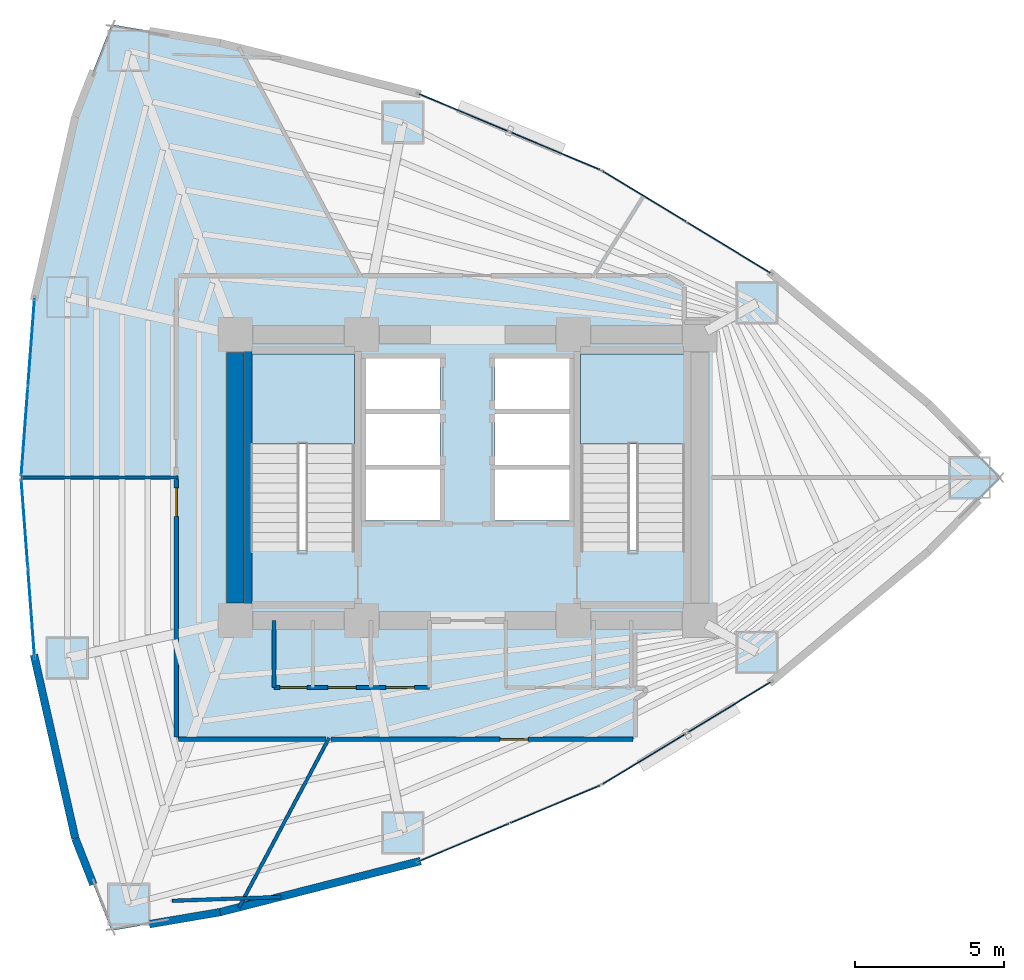
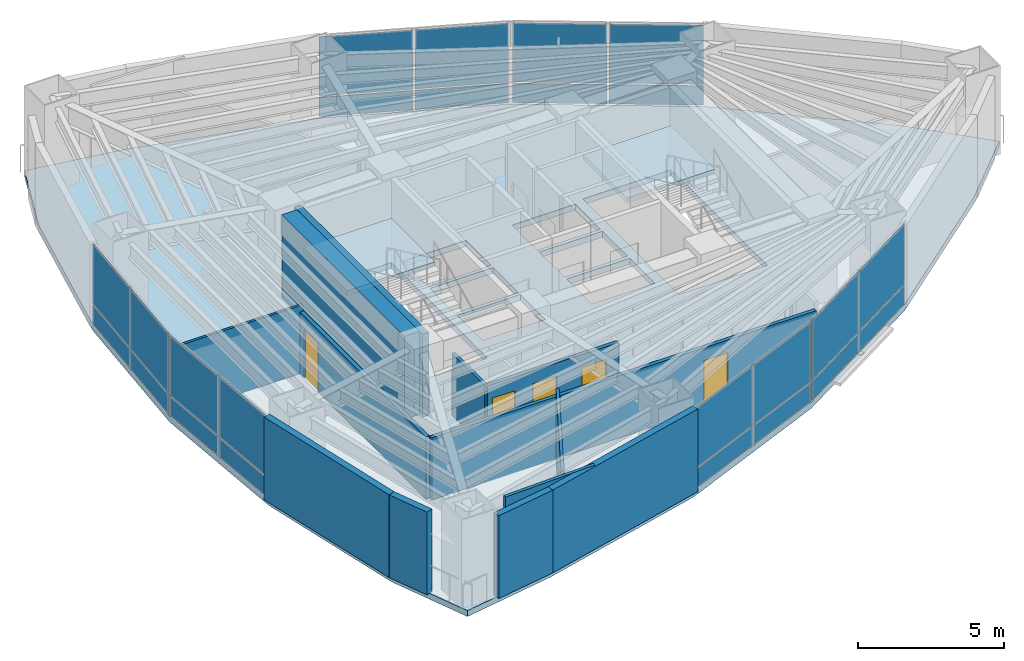
# One storey, part 13 of 18: 24 plates, 14 walls, 5 doors, 3 slabs, 5 openings, 8 elements without a shape of their own.
"""IFC4 building model written with IfcOpenShell, lengths in metres."""

from ifc_helpers import new_model, si_unit, direction, frame, frame_2d, origin, origin_2d, place, context, subcontext, project, spatial, polyline, rectangle, outline, extrude, material, layer, layer_set, type_object, element, fill, aggregate, save


model = new_model("IFC4")

# Units and contexts
model_context = context("Model", 3, precision=1e-05, world=origin(), true_north=direction((0.0, 1.0)))
body_context = subcontext(model_context, "Body", "Model", "MODEL_VIEW")
ifc_project = project(units=[si_unit("LENGTHUNIT", "METRE"), si_unit("AREAUNIT", "SQUARE_METRE"), si_unit("VOLUMEUNIT", "CUBIC_METRE"), si_unit("PLANEANGLEUNIT", "RADIAN"), si_unit("MASSUNIT", "GRAM", prefix="KILO")], contexts=[model_context])

# Site, building, storey
site_placement = place(None, origin())
site = spatial("IfcSite", under=ifc_project, at=site_placement, CompositionType="ELEMENT")
building_placement = place(site_placement, origin())
building = spatial("IfcBuilding", under=site, at=building_placement, Name="Menara Vayukalpa", CompositionType="ELEMENT")
storey_placement = place(building_placement, frame((0.0, 0.0, 31.320068359375)))
storey = spatial("IfcBuildingStorey", under=building, at=storey_placement, Name="L06", CompositionType="ELEMENT", Elevation=31.320068359375)

# Curtain wall, plates
ifc_material_1 = material(Name="Anodised Terracotta Aluminium Alloy 6063-T6", Category="masonry")
ifc_layer_1 = layer(ifc_material_1, 0.1650390625)
ifc_layer_set_1 = layer_set([ifc_layer_1], Name="Anodised Terracotta Aluminium Alloy 6063-T6")
curtain_wall_type = type_object("IfcCurtainWallType", Name="CW-CW2", PredefinedType="USERDEFINED", material=ifc_layer_set_1)
curtain_wall_1_placement = place(storey_placement, origin())
curtain_wall_1 = element("IfcCurtainWall", 1, at=curtain_wall_1_placement, inside=storey, type_object=curtain_wall_type, Name="L06 Low Rise Terracotta Ribbon Curtain Wall CW2 04", ObjectType="UNITISED", PredefinedType="USERDEFINED")
ifc_material_2 = material(Name="Low-E Double Glazing", Category="glass")
ifc_layer_2 = layer(ifc_material_2, 0.031982421875)
ifc_layer_set_2 = layer_set([ifc_layer_2], Name="Low-E Double Glazing")
plate_type = type_object("IfcPlateType", Name="CWP-CW2", PredefinedType="CURTAIN_PANEL", material=ifc_layer_set_2)
plate_1_placement = place(storey_placement, frame((34.371826171875, 29.721435546875, 0.06494140625), z_axis=(0.0, 0.0, 1.0), x_axis=(-0.854663727945, 0.519181964377, 0.0)))
plate_1 = element("IfcPlate", 2, at=plate_1_placement, type_object=plate_type, Name="CW2 panel 1.1", PredefinedType="CURTAIN_PANEL", context=body_context, shape_type="SweptSolid", body=[
    extrude(rectangle(XDim=3.24267578125, YDim=0.031982421875, at=origin_2d()), origin(), (0.0, 0.0, 1.0), 0.802490234375),
])
plate_2_placement = place(storey_placement, frame((34.371826171875, 29.721435546875, 0.9326171875), z_axis=(0.0, 0.0, 1.0), x_axis=(-0.854663727945, 0.519181964377, 0.0)))
plate_2 = element("IfcPlate", 3, at=plate_2_placement, type_object=plate_type, Name="CW2 panel 1.2", PredefinedType="CURTAIN_PANEL", context=body_context, shape_type="SweptSolid", body=[
    extrude(rectangle(XDim=3.24267578125, YDim=0.031982421875, at=origin_2d()), origin(), (0.0, 0.0, 1.0), 2.472412109375),
])
plate_3_placement = place(storey_placement, frame((31.54052734375, 31.44140625, 0.06494140625), z_axis=(0.0, 0.0, 1.0), x_axis=(-0.854663727945, 0.519181964377, 0.0)))
plate_3 = element("IfcPlate", 4, at=plate_3_placement, type_object=plate_type, Name="CW2 panel 2.1", PredefinedType="CURTAIN_PANEL", context=body_context, shape_type="SweptSolid", body=[
    extrude(rectangle(XDim=3.24267578125, YDim=0.031982421875, at=origin_2d()), origin(), (0.0, 0.0, 1.0), 0.802490234375),
])
plate_4_placement = place(storey_placement, frame((31.54052734375, 31.44140625, 0.9326171875), z_axis=(0.0, 0.0, 1.0), x_axis=(-0.854663727945, 0.519181964377, 0.0)))
plate_4 = element("IfcPlate", 5, at=plate_4_placement, type_object=plate_type, Name="CW2 panel 2.2", PredefinedType="CURTAIN_PANEL", context=body_context, shape_type="SweptSolid", body=[
    extrude(rectangle(XDim=3.24267578125, YDim=0.031982421875, at=origin_2d()), origin(), (0.0, 0.0, 1.0), 2.472412109375),
])
aggregate(curtain_wall_1, [plate_1, plate_2, plate_3, plate_4])

curtain_wall_2_placement = place(storey_placement, origin())
curtain_wall_2 = element("IfcCurtainWall", 6, at=curtain_wall_2_placement, inside=storey, type_object=curtain_wall_type, Name="L06 Low Rise Terracotta Ribbon Curtain Wall CW2 05", ObjectType="UNITISED", PredefinedType="USERDEFINED")
plate_5_placement = place(storey_placement, frame((28.534912109375, 32.97216796875, 0.06494140625), z_axis=(0.0, 0.0, 1.0), x_axis=(-0.922542658101, 0.385895120445, 0.0)))
plate_5 = element("IfcPlate", 7, at=plate_5_placement, type_object=plate_type, Name="CW2 panel 1.1", PredefinedType="CURTAIN_PANEL", context=body_context, shape_type="SweptSolid", body=[
    extrude(rectangle(XDim=3.242431640625, YDim=0.031982421875, at=origin_2d()), origin(), (0.0, 0.0, 1.0), 0.802490234375),
])
plate_6_placement = place(storey_placement, frame((28.534912109375, 32.97216796875, 0.9326171875), z_axis=(0.0, 0.0, 1.0), x_axis=(-0.922542658101, 0.385895120445, 0.0)))
plate_6 = element("IfcPlate", 8, at=plate_6_placement, type_object=plate_type, Name="CW2 panel 1.2", PredefinedType="CURTAIN_PANEL", context=body_context, shape_type="SweptSolid", body=[
    extrude(rectangle(XDim=3.242431640625, YDim=0.031982421875, at=origin_2d()), origin(), (0.0, 0.0, 1.0), 2.472412109375),
])
plate_7_placement = place(storey_placement, frame((25.478759765625, 34.250244140625, 0.06494140625), z_axis=(0.0, 0.0, 1.0), x_axis=(-0.922542658101, 0.385895120445, 0.0)))
plate_7 = element("IfcPlate", 9, at=plate_7_placement, type_object=plate_type, Name="CW2 panel 2.1", PredefinedType="CURTAIN_PANEL", context=body_context, shape_type="SweptSolid", body=[
    extrude(rectangle(XDim=3.242431640625, YDim=0.031982421875, at=origin_2d()), origin(), (0.0, 0.0, 1.0), 0.802490234375),
])
plate_8_placement = place(storey_placement, frame((25.478759765625, 34.250244140625, 0.9326171875), z_axis=(0.0, 0.0, 1.0), x_axis=(-0.922542658101, 0.385895120445, 0.0)))
plate_8 = element("IfcPlate", 10, at=plate_8_placement, type_object=plate_type, Name="CW2 panel 2.2", PredefinedType="CURTAIN_PANEL", context=body_context, shape_type="SweptSolid", body=[
    extrude(rectangle(XDim=3.242431640625, YDim=0.031982421875, at=origin_2d()), origin(), (0.0, 0.0, 1.0), 2.472412109375),
])
aggregate(curtain_wall_2, [plate_5, plate_6, plate_7, plate_8])

curtain_wall_3_placement = place(storey_placement, origin())
curtain_wall_3 = element("IfcCurtainWall", 11, at=curtain_wall_3_placement, inside=storey, type_object=curtain_wall_type, Name="L06 Low Rise Terracotta Ribbon Curtain Wall CW2 10", ObjectType="UNITISED", PredefinedType="USERDEFINED")
plate_9_placement = place(storey_placement, frame((10.94921875, 26.52734375, 0.06494140625), z_axis=(0.0, 0.0, 1.0), x_axis=(-0.074794857576, -0.997198941676, 0.0)))
plate_9 = element("IfcPlate", 12, at=plate_9_placement, type_object=plate_type, Name="CW2 panel 1.1", PredefinedType="CURTAIN_PANEL", context=body_context, shape_type="SweptSolid", body=[
    extrude(rectangle(XDim=2.933349609375, YDim=0.031982421875, at=origin_2d()), origin(), (0.0, 0.0, 1.0), 0.802490234375),
])
plate_10_placement = place(storey_placement, frame((10.94921875, 26.52734375, 0.9326171875), z_axis=(0.0, 0.0, 1.0), x_axis=(-0.074794857576, -0.997198941676, 0.0)))
plate_10 = element("IfcPlate", 13, at=plate_10_placement, type_object=plate_type, Name="CW2 panel 1.2", PredefinedType="CURTAIN_PANEL", context=body_context, shape_type="SweptSolid", body=[
    extrude(rectangle(XDim=2.933349609375, YDim=0.031982421875, at=origin_2d()), origin(), (0.0, 0.0, 1.0), 2.472412109375),
])
plate_11_placement = place(storey_placement, frame((10.724609375, 23.532470703125, 0.06494140625), z_axis=(0.0, 0.0, 1.0), x_axis=(-0.074794857576, -0.997198941676, 0.0)))
plate_11 = element("IfcPlate", 14, at=plate_11_placement, type_object=plate_type, Name="CW2 panel 2.1", PredefinedType="CURTAIN_PANEL", context=body_context, shape_type="SweptSolid", body=[
    extrude(rectangle(XDim=2.933349609375, YDim=0.031982421875, at=origin_2d()), origin(), (0.0, 0.0, 1.0), 0.802490234375),
])
plate_12_placement = place(storey_placement, frame((10.724609375, 23.532470703125, 0.9326171875), z_axis=(0.0, 0.0, 1.0), x_axis=(-0.074794857576, -0.997198941676, 0.0)))
plate_12 = element("IfcPlate", 15, at=plate_12_placement, type_object=plate_type, Name="CW2 panel 2.2", PredefinedType="CURTAIN_PANEL", context=body_context, shape_type="SweptSolid", body=[
    extrude(rectangle(XDim=2.933349609375, YDim=0.031982421875, at=origin_2d()), origin(), (0.0, 0.0, 1.0), 2.472412109375),
])
aggregate(curtain_wall_3, [plate_9, plate_10, plate_11, plate_12])

curtain_wall_4_placement = place(storey_placement, origin())
curtain_wall_4 = element("IfcCurtainWall", 16, at=curtain_wall_4_placement, inside=storey, type_object=curtain_wall_type, Name="L06 Low Rise Terracotta Ribbon Curtain Wall CW2 11", ObjectType="UNITISED", PredefinedType="USERDEFINED")
plate_13_placement = place(storey_placement, frame((10.724609375, 20.467529296875, 0.06494140625), z_axis=(0.0, 0.0, 1.0), x_axis=(0.074794857576, -0.997198941676, 0.0)))
plate_13 = element("IfcPlate", 17, at=plate_13_placement, type_object=plate_type, Name="CW2 panel 1.1", PredefinedType="CURTAIN_PANEL", context=body_context, shape_type="SweptSolid", body=[
    extrude(rectangle(XDim=2.933349609375, YDim=0.031982421875, at=origin_2d()), origin(), (0.0, 0.0, 1.0), 0.802490234375),
])
plate_14_placement = place(storey_placement, frame((10.724609375, 20.467529296875, 0.9326171875), z_axis=(0.0, 0.0, 1.0), x_axis=(0.074794857576, -0.997198941676, 0.0)))
plate_14 = element("IfcPlate", 18, at=plate_14_placement, type_object=plate_type, Name="CW2 panel 1.2", PredefinedType="CURTAIN_PANEL", context=body_context, shape_type="SweptSolid", body=[
    extrude(rectangle(XDim=2.933349609375, YDim=0.031982421875, at=origin_2d()), origin(), (0.0, 0.0, 1.0), 2.472412109375),
])
plate_15_placement = place(storey_placement, frame((10.94921875, 17.47265625, 0.06494140625), z_axis=(0.0, 0.0, 1.0), x_axis=(0.074794857576, -0.997198941676, 0.0)))
plate_15 = element("IfcPlate", 19, at=plate_15_placement, type_object=plate_type, Name="CW2 panel 2.1", PredefinedType="CURTAIN_PANEL", context=body_context, shape_type="SweptSolid", body=[
    extrude(rectangle(XDim=2.933349609375, YDim=0.031982421875, at=origin_2d()), origin(), (0.0, 0.0, 1.0), 0.802490234375),
])
plate_16_placement = place(storey_placement, frame((10.94921875, 17.47265625, 0.9326171875), z_axis=(0.0, 0.0, 1.0), x_axis=(0.074794857576, -0.997198941676, 0.0)))
plate_16 = element("IfcPlate", 20, at=plate_16_placement, type_object=plate_type, Name="CW2 panel 2.2", PredefinedType="CURTAIN_PANEL", context=body_context, shape_type="SweptSolid", body=[
    extrude(rectangle(XDim=2.933349609375, YDim=0.031982421875, at=origin_2d()), origin(), (0.0, 0.0, 1.0), 2.472412109375),
])
aggregate(curtain_wall_4, [plate_13, plate_14, plate_15, plate_16])

curtain_wall_5_placement = place(storey_placement, origin())
curtain_wall_5 = element("IfcCurtainWall", 21, at=curtain_wall_5_placement, inside=storey, type_object=curtain_wall_type, Name="L06 Low Rise Terracotta Ribbon Curtain Wall CW2 16", ObjectType="UNITISED", PredefinedType="USERDEFINED")
plate_17_placement = place(storey_placement, frame((25.478759765625, 9.749755859375, 0.06494140625), z_axis=(0.0, 0.0, 1.0), x_axis=(0.922542658101, 0.385895120445, 0.0)))
plate_17 = element("IfcPlate", 22, at=plate_17_placement, type_object=plate_type, Name="CW2 panel 1.1", PredefinedType="CURTAIN_PANEL", context=body_context, shape_type="SweptSolid", body=[
    extrude(rectangle(XDim=3.242431640625, YDim=0.031982421875, at=origin_2d()), origin(), (0.0, 0.0, 1.0), 0.802490234375),
])
plate_18_placement = place(storey_placement, frame((25.478759765625, 9.749755859375, 0.9326171875), z_axis=(0.0, 0.0, 1.0), x_axis=(0.922542658101, 0.385895120445, 0.0)))
plate_18 = element("IfcPlate", 23, at=plate_18_placement, type_object=plate_type, Name="CW2 panel 1.2", PredefinedType="CURTAIN_PANEL", context=body_context, shape_type="SweptSolid", body=[
    extrude(rectangle(XDim=3.242431640625, YDim=0.031982421875, at=origin_2d()), origin(), (0.0, 0.0, 1.0), 2.472412109375),
])
plate_19_placement = place(storey_placement, frame((28.534912109375, 11.02783203125, 0.06494140625), z_axis=(0.0, 0.0, 1.0), x_axis=(0.922542658101, 0.385895120445, 0.0)))
plate_19 = element("IfcPlate", 24, at=plate_19_placement, type_object=plate_type, Name="CW2 panel 2.1", PredefinedType="CURTAIN_PANEL", context=body_context, shape_type="SweptSolid", body=[
    extrude(rectangle(XDim=3.242431640625, YDim=0.031982421875, at=origin_2d()), origin(), (0.0, 0.0, 1.0), 0.802490234375),
])
plate_20_placement = place(storey_placement, frame((28.534912109375, 11.02783203125, 0.9326171875), z_axis=(0.0, 0.0, 1.0), x_axis=(0.922542658101, 0.385895120445, 0.0)))
plate_20 = element("IfcPlate", 25, at=plate_20_placement, type_object=plate_type, Name="CW2 panel 2.2", PredefinedType="CURTAIN_PANEL", context=body_context, shape_type="SweptSolid", body=[
    extrude(rectangle(XDim=3.242431640625, YDim=0.031982421875, at=origin_2d()), origin(), (0.0, 0.0, 1.0), 2.472412109375),
])
aggregate(curtain_wall_5, [plate_17, plate_18, plate_19, plate_20])

curtain_wall_6_placement = place(storey_placement, origin())
curtain_wall_6 = element("IfcCurtainWall", 26, at=curtain_wall_6_placement, inside=storey, type_object=curtain_wall_type, Name="L06 Low Rise Terracotta Ribbon Curtain Wall CW2 17", ObjectType="UNITISED", PredefinedType="USERDEFINED")
plate_21_placement = place(storey_placement, frame((31.54052734375, 12.55859375, 0.06494140625), z_axis=(0.0, 0.0, 1.0), x_axis=(0.854663727945, 0.519181964377, 0.0)))
plate_21 = element("IfcPlate", 27, at=plate_21_placement, type_object=plate_type, Name="CW2 panel 1.1", PredefinedType="CURTAIN_PANEL", context=body_context, shape_type="SweptSolid", body=[
    extrude(rectangle(XDim=3.24267578125, YDim=0.031982421875, at=origin_2d()), origin(), (0.0, 0.0, 1.0), 0.802490234375),
])
plate_22_placement = place(storey_placement, frame((31.54052734375, 12.55859375, 0.9326171875), z_axis=(0.0, 0.0, 1.0), x_axis=(0.854663727945, 0.519181964377, 0.0)))
plate_22 = element("IfcPlate", 28, at=plate_22_placement, type_object=plate_type, Name="CW2 panel 1.2", PredefinedType="CURTAIN_PANEL", context=body_context, shape_type="SweptSolid", body=[
    extrude(rectangle(XDim=3.24267578125, YDim=0.031982421875, at=origin_2d()), origin(), (0.0, 0.0, 1.0), 2.472412109375),
])
plate_23_placement = place(storey_placement, frame((34.371826171875, 14.278564453125, 0.06494140625), z_axis=(0.0, 0.0, 1.0), x_axis=(0.854663727945, 0.519181964377, 0.0)))
plate_23 = element("IfcPlate", 29, at=plate_23_placement, type_object=plate_type, Name="CW2 panel 2.1", PredefinedType="CURTAIN_PANEL", context=body_context, shape_type="SweptSolid", body=[
    extrude(rectangle(XDim=3.24267578125, YDim=0.031982421875, at=origin_2d()), origin(), (0.0, 0.0, 1.0), 0.802490234375),
])
plate_24_placement = place(storey_placement, frame((34.371826171875, 14.278564453125, 0.9326171875), z_axis=(0.0, 0.0, 1.0), x_axis=(0.854663727945, 0.519181964377, 0.0)))
plate_24 = element("IfcPlate", 30, at=plate_24_placement, type_object=plate_type, Name="CW2 panel 2.2", PredefinedType="CURTAIN_PANEL", context=body_context, shape_type="SweptSolid", body=[
    extrude(rectangle(XDim=3.24267578125, YDim=0.031982421875, at=origin_2d()), origin(), (0.0, 0.0, 1.0), 2.472412109375),
])
aggregate(curtain_wall_6, [plate_21, plate_22, plate_23, plate_24])

# Slab
ifc_material_3 = material(Name="Concrete C40/50", Category="concrete")
ifc_layer_3 = layer(ifc_material_3, 0.25)
ifc_layer_set_3 = layer_set([ifc_layer_3], Name="Concrete C40/50")
slab_type_1 = type_object("IfcSlabType", Name="SLB-FL250", PredefinedType="FLOOR", material=ifc_layer_set_3)
slab_1_placement = place(storey_placement, frame((0.0, 0.0, -0.25)))
element("IfcSlab", 31, at=slab_1_placement, inside=storey, type_object=slab_type_1, Name="L06 Structural Floor Slab", PredefinedType="FLOOR", context=body_context, shape_type="SweptSolid", body=[
    extrude(outline(polyline([(41.084716796875, 19.52490234375), (43.514892578125, 22.0), (41.084716796875, 24.47509765625), (35.817138671875, 28.843505859375), (30.09521484375, 32.3193359375), (23.918701171875, 34.903076171875), (17.28759765625, 36.59423828125), (13.642578125, 37.212890625), (12.427490234375, 34.119140625), (11.064208984375, 28.0595703125), (10.609619140625, 22.0), (11.064208984375, 15.9404296875), (12.427490234375, 9.880859375), (13.642578125, 6.787109375), (17.28759765625, 7.40576171875), (23.918701171875, 9.096923828125), (30.09521484375, 11.6806640625), (35.817138671875, 15.156494140625), (41.084716796875, 19.52490234375)]), holes=[polyline([(21.800048828125, 19.550048828125), (21.800048828125, 26.14990234375), (18.300048828125, 26.14990234375), (18.300048828125, 19.550048828125), (21.800048828125, 19.550048828125)]), polyline([(32.89990234375, 19.550048828125), (32.89990234375, 26.14990234375), (29.39990234375, 26.14990234375), (29.39990234375, 19.550048828125), (32.89990234375, 19.550048828125)]), polyline([(22.179931640625, 20.550048828125), (24.679931640625, 20.550048828125), (24.679931640625, 22.27001953125), (22.179931640625, 22.27001953125), (22.179931640625, 20.550048828125)]), polyline([(26.52001953125, 20.550048828125), (29.02001953125, 20.550048828125), (29.02001953125, 22.27001953125), (26.52001953125, 22.27001953125), (26.52001953125, 20.550048828125)]), polyline([(22.179931640625, 22.419921875), (24.679931640625, 22.419921875), (24.679931640625, 24.139892578125), (22.179931640625, 24.139892578125), (22.179931640625, 22.419921875)]), polyline([(22.179931640625, 24.2900390625), (24.679931640625, 24.2900390625), (24.679931640625, 26.010009765625), (22.179931640625, 26.010009765625), (22.179931640625, 24.2900390625)]), polyline([(26.52001953125, 24.2900390625), (29.02001953125, 24.2900390625), (29.02001953125, 26.010009765625), (26.52001953125, 26.010009765625), (26.52001953125, 24.2900390625)]), polyline([(26.52001953125, 22.419921875), (29.02001953125, 22.419921875), (29.02001953125, 24.139892578125), (26.52001953125, 24.139892578125), (26.52001953125, 22.419921875)])]), origin(), (0.0, 0.0, 1.0), 0.25),
])

# Stair, slab
ifc_material_4 = material(Name="Precast Concrete C40/50", Category="concrete")
stair_type = type_object("IfcStairType", Name="STR-T04", PredefinedType="DOUBLE_RETURN_STAIR", material=ifc_material_4)
stair_1_placement = place(storey_placement, origin())
stair_1 = element("IfcStair", 32, at=stair_1_placement, inside=storey, type_object=stair_type, Name="L06 Core Exit Stair ST-1", PredefinedType="DOUBLE_RETURN_STAIR")
ifc_material_5 = material(Name="Precast Concrete C40/50", Category="concrete")
ifc_layer_4 = layer(ifc_material_5, 0.199951171875)
ifc_layer_set_4 = layer_set([ifc_layer_4], Name="Precast Concrete C40/50")
slab_type_2 = type_object("IfcSlabType", Name="SLB-LND200", PredefinedType="LANDING", material=ifc_layer_set_4)
slab_2_placement = place(storey_placement, frame((0.0, 0.0, 1.659912109375)))
slab_2 = element("IfcSlab", 33, at=slab_2_placement, type_object=slab_type_2, Name="ST-1 landing 1", PredefinedType="LANDING", context=body_context, shape_type="SweptSolid", body=[
    extrude(outline(polyline([(21.800048828125, 23.1298828125), (21.800048828125, 26.14990234375), (18.300048828125, 26.14990234375), (18.300048828125, 23.1298828125), (21.800048828125, 23.1298828125)])), origin(), (0.0, 0.0, 1.0), 0.199951171875),
])
aggregate(stair_1, [slab_2])

stair_2_placement = place(storey_placement, origin())
stair_2 = element("IfcStair", 34, at=stair_2_placement, inside=storey, type_object=stair_type, Name="L06 Core Exit Stair ST-2", PredefinedType="DOUBLE_RETURN_STAIR")
slab_3_placement = place(storey_placement, frame((0.0, 0.0, 1.659912109375)))
slab_3 = element("IfcSlab", 35, at=slab_3_placement, type_object=slab_type_2, Name="ST-2 landing 1", PredefinedType="LANDING", context=body_context, shape_type="SweptSolid", body=[
    extrude(outline(polyline([(32.89990234375, 23.1298828125), (32.89990234375, 26.14990234375), (29.39990234375, 26.14990234375), (29.39990234375, 23.1298828125), (32.89990234375, 23.1298828125)])), origin(), (0.0, 0.0, 1.0), 0.199951171875),
])
aggregate(stair_2, [slab_3])

# Walls
ifc_material_6 = material(Name="Concrete C70/85", Category="concrete")
ifc_layer_5 = layer(ifc_material_6, 0.60009765625)
ifc_layer_set_5 = layer_set([ifc_layer_5], Name="Concrete C70/85")
wall_type_1 = type_object("IfcWallType", Name="WAL-CW600", PredefinedType="SHEAR", material=ifc_layer_set_5)
wall_1_placement = place(storey_placement, frame((17.800048828125, 17.794921875, 0.0), z_axis=(0.0, 0.0, 1.0), x_axis=(0.0, 1.0, 0.0)))
element("IfcWall", 36, at=wall_1_placement, inside=storey, type_object=wall_type_1, Name="L06 Buttressed Core Shear Wall CWW1", PredefinedType="SHEAR", context=body_context, shape_type="SweptSolid", body=[
    extrude(rectangle(XDim=8.41015625, YDim=0.60009765625, at=frame_2d((4.205078125, 0.0))), origin(), (0.0, 0.0, 1.0), 3.469970703125),
])
ifc_material_7 = material(Name="Insulated Precast Concrete C40/50", Category="concrete")
ifc_layer_6 = layer(ifc_material_7, 0.260009765625)
ifc_layer_set_6 = layer_set([ifc_layer_6], Name="Insulated Precast Concrete C40/50")
wall_type_2 = type_object("IfcWallType", Name="WAL-EXT260", PredefinedType="PARTITIONING", material=ifc_layer_set_6)
wall_2_placement = place(storey_placement, frame((12.427490234375, 9.880859375, 0.0), z_axis=(0.0, 0.0, 1.0), x_axis=(-0.219502085231, 0.975612030768, 0.0)))
element("IfcWall", 37, at=wall_2_placement, inside=storey, type_object=wall_type_2, Name="L06 Perimeter Terracotta Pier Wall 12", PredefinedType="PARTITIONING", context=body_context, shape_type="SweptSolid", body=[
    extrude(rectangle(XDim=6.32080078125, YDim=0.260009765625, at=frame_2d((3.160400390625, 0.0))), origin(), (0.0, 0.0, 1.0), 3.469970703125),
])
wall_3_placement = place(storey_placement, frame((13.033203125, 8.339111328125, 0.0), z_axis=(0.0, 0.0, 1.0), x_axis=(-0.365666052462, 0.930746119023, 0.0)))
element("IfcWall", 38, at=wall_3_placement, inside=storey, type_object=wall_type_2, Name="L06 Perimeter Terracotta Pier Wall 13", PredefinedType="PARTITIONING", context=body_context, shape_type="SweptSolid", body=[
    extrude(rectangle(XDim=1.656494140625, YDim=0.260009765625, at=frame_2d((0.828125, 0.0))), origin(), (0.0, 0.0, 1.0), 3.469970703125),
])
wall_4_placement = place(storey_placement, frame((17.29345703125, 7.40673828125, 0.0), z_axis=(0.0, 0.0, 1.0), x_axis=(-0.985905469923, -0.167303330437, 0.0)))
element("IfcWall", 39, at=wall_4_placement, inside=storey, type_object=wall_type_2, Name="L06 Perimeter Terracotta Pier Wall 14", PredefinedType="PARTITIONING", context=body_context, shape_type="SweptSolid", body=[
    extrude(rectangle(XDim=2.412109375, YDim=0.260009765625, at=frame_2d((1.2060546875, 0.0))), origin(), (0.0, 0.0, 1.0), 3.469970703125),
])
wall_5_placement = place(storey_placement, frame((24.025146484375, 9.124267578125, 0.0), z_axis=(0.0, 0.0, 1.0), x_axis=(-0.968977974408, -0.247147092057, 0.0)))
element("IfcWall", 40, at=wall_5_placement, inside=storey, type_object=wall_type_2, Name="L06 Perimeter Terracotta Pier Wall 15", PredefinedType="PARTITIONING", context=body_context, shape_type="SweptSolid", body=[
    extrude(rectangle(XDim=6.959228515625, YDim=0.260009765625, at=frame_2d((3.4794921875, 0.0))), origin(), (0.0, 0.0, 1.0), 3.469970703125),
])
ifc_material_8 = material(Name="Glazed Demountable Office Partition", Category="glass")
ifc_layer_7 = layer(ifc_material_8, 0.094970703125)
ifc_layer_set_7 = layer_set([ifc_layer_7], Name="Glazed Demountable Office Partition")
wall_type_3 = type_object("IfcWallType", Name="WAL-PT100", PredefinedType="PARTITIONING", material=ifc_layer_set_7)
wall_6_placement = place(storey_placement, frame((15.8701171875, 22.0, 0.0), z_axis=(0.0, 0.0, 1.0), x_axis=(-1.0, 0.0, 0.0)))
element("IfcWall", 41, at=wall_6_placement, inside=storey, type_object=wall_type_3, Name="L06 Interior Partition IW-L06-RDIV04", PredefinedType="PARTITIONING", context=body_context, shape_type="SweptSolid", body=[
    extrude(rectangle(XDim=5.2705078125, YDim=0.094970703125, at=frame_2d((2.63525390625, 0.0))), origin(), (0.0, 0.0, 1.0), 2.849853515625),
])
ifc_material_9 = material(Name="Acoustic Mineral Stud Partition", Category="masonry")
ifc_layer_8 = layer(ifc_material_9, 0.110107421875)
ifc_layer_set_8 = layer_set([ifc_layer_8], Name="Acoustic Mineral Stud Partition")
wall_type_4 = type_object("IfcWallType", Name="WAL-PT110", PredefinedType="PARTITIONING", material=ifc_layer_set_8)
wall_7_placement = place(storey_placement, frame((20.952880859375, 13.260009765625, 0.0), z_axis=(0.0, 0.0, 1.0), x_axis=(-0.469479450278, -0.88294339896, 0.0)))
element("IfcWall", 42, at=wall_7_placement, inside=storey, type_object=wall_type_4, Name="L06 Interior Partition IW-L06-RDIV05", PredefinedType="PARTITIONING", context=body_context, shape_type="SweptSolid", body=[
    extrude(rectangle(XDim=6.459228515625, YDim=0.110107421875, at=frame_2d((3.2294921875, 0.0))), origin(), (0.0, 0.0, 1.0), 2.849853515625),
])
ifc_material_10 = material(Name="Gypsum Drywall Steel Stud Assembly", Category="steel")
ifc_layer_9 = layer(ifc_material_10, 0.125)
ifc_layer_set_9 = layer_set([ifc_layer_9], Name="Gypsum Drywall Steel Stud Assembly")
wall_type_5 = type_object("IfcWallType", Name="WAL-PT125", PredefinedType="PARTITIONING", material=ifc_layer_set_9)
wall_8_placement = place(storey_placement, frame((19.10009765625, 14.949951171875, 0.0), z_axis=(0.0, 0.0, 1.0), x_axis=(0.0, 1.0, 0.0)))
element("IfcWall", 43, at=wall_8_placement, inside=storey, type_object=wall_type_5, Name="L06 Interior Partition IW-L06-SVCD-01", PredefinedType="PARTITIONING", context=body_context, shape_type="SweptSolid", body=[
    extrude(rectangle(XDim=2.25, YDim=0.125, at=frame_2d((1.125, 0.0))), origin(), (0.0, 0.0, 1.0), 2.599853515625),
])
wall_9_placement = place(storey_placement, frame((15.68994140625, 7.7890625, 0.0), z_axis=(0.0, 0.0, 1.0), x_axis=(0.999389725088, 0.03493103762, 0.0)))
element("IfcWall", 44, at=wall_9_placement, inside=storey, type_object=wall_type_5, Name="L06 Interior Partition IW-L06-RDIV07", PredefinedType="PARTITIONING", context=body_context, shape_type="SweptSolid", body=[
    extrude(rectangle(XDim=3.641357421875, YDim=0.125, at=frame_2d((1.82080078125, 0.0))), origin(), (0.0, 0.0, 1.0), 3.469970703125),
])

# Wall, openings, doors
ifc_material_11 = material(Name="Gypsum Drywall Acoustic Stud Assembly", Category="masonry")
ifc_layer_10 = layer(ifc_material_11, 0.14501953125)
ifc_layer_set_10 = layer_set([ifc_layer_10], Name="Gypsum Drywall Acoustic Stud Assembly")
wall_type_6 = type_object("IfcWallType", Name="WAL-PT150", PredefinedType="PARTITIONING", material=ifc_layer_set_10)
wall_10_placement = place(storey_placement, frame((19.10009765625, 14.949951171875, 0.0), z_axis=(0.0, 0.0, 1.0), x_axis=(1.0, 0.0, 0.0)))
wall_10 = element("IfcWall", 45, at=wall_10_placement, inside=storey, type_object=wall_type_6, Name="L06 Interior Partition IW-L06-SVCS-W", PredefinedType="PARTITIONING", context=body_context, shape_type="SweptSolid", body=[
    extrude(rectangle(XDim=5.219970703125, YDim=0.14501953125, at=frame_2d((2.60986328125, 0.0))), origin(), (0.0, 0.0, 1.0), 2.599853515625),
])
opening_1_placement = place(wall_10_placement, frame((0.199951171875, 0.0, 0.0)))
opening_1 = element("IfcOpeningElement", 46, at=opening_1_placement, cuts=wall_10, Name="Opening ID7", PredefinedType="OPENING", context=body_context, shape_type="SweptSolid", body=[
    extrude(rectangle(XDim=0.89990234375, YDim=2.02001953125, at=frame_2d((0.449951171875, 1.010009765625))), frame((0.0, 0.08251953125, 0.0), z_axis=(0.0, -1.0, 0.0), x_axis=(1.0, 0.0, 0.0)), (0.0, 0.0, 1.0), 0.1650390625),
])
opening_2_placement = place(wall_10_placement, frame((1.804931640625, 0.0, 0.0)))
opening_2 = element("IfcOpeningElement", 47, at=opening_2_placement, cuts=wall_10, Name="Opening ID5", PredefinedType="OPENING", context=body_context, shape_type="SweptSolid", body=[
    extrude(rectangle(XDim=0.949951171875, YDim=2.06005859375, at=frame_2d((0.47509765625, 1.030029296875))), frame((0.0, 0.08251953125, 0.0), z_axis=(0.0, -1.0, 0.0), x_axis=(1.0, 0.0, 0.0)), (0.0, 0.0, 1.0), 0.1650390625),
])
opening_3_placement = place(wall_10_placement, frame((3.764892578125, 0.0, 0.0)))
opening_3 = element("IfcOpeningElement", 48, at=opening_3_placement, cuts=wall_10, Name="Opening ID5", PredefinedType="OPENING", context=body_context, shape_type="SweptSolid", body=[
    extrude(rectangle(XDim=0.949951171875, YDim=2.06005859375, at=frame_2d((0.47509765625, 1.030029296875))), frame((0.0, 0.08251953125, 0.0), z_axis=(0.0, -1.0, 0.0), x_axis=(1.0, 0.0, 0.0)), (0.0, 0.0, 1.0), 0.1650390625),
])
ifc_material_12 = material(Name="Acoustic Hardwood Veneer Timber Door", Category="wood")
door_type_1 = type_object("IfcDoorType", Name="DR-INT95", OperationType="NOTDEFINED", PredefinedType="DOOR", material=ifc_material_12)
door_1_placement = place(opening_2_placement, origin())
door_1 = element("IfcDoor", 49, at=door_1_placement, inside=storey, type_object=door_type_1, Name="L06 Interior Door DR-L06-AWC", OperationType="SINGLE_SWING_RIGHT", OverallHeight=2.06005859375, OverallWidth=0.949951171875, PredefinedType="DOOR", context=body_context, shape_type="SweptSolid", body=[
    extrude(rectangle(XDim=0.949951171875, YDim=2.06005859375, at=frame_2d((0.47509765625, 1.030029296875))), frame((0.0, 0.02490234375, 0.0), z_axis=(0.0, -1.0, 0.0), x_axis=(1.0, 0.0, 0.0)), (0.0, 0.0, 1.0), 0.050048828125),
])
fill(opening_2, door_1)
door_2_placement = place(opening_3_placement, origin())
door_2 = element("IfcDoor", 50, at=door_2_placement, inside=storey, type_object=door_type_1, Name="L06 Interior Door DR-L06-SWC", OperationType="SINGLE_SWING_LEFT", OverallHeight=2.06005859375, OverallWidth=0.949951171875, PredefinedType="DOOR", context=body_context, shape_type="SweptSolid", body=[
    extrude(rectangle(XDim=0.949951171875, YDim=2.06005859375, at=frame_2d((0.47509765625, 1.030029296875))), frame((0.0, 0.02490234375, 0.0), z_axis=(0.0, -1.0, 0.0), x_axis=(1.0, 0.0, 0.0)), (0.0, 0.0, 1.0), 0.050048828125),
])
fill(opening_3, door_2)
ifc_material_13 = material(Name="Powder-Coated Steel Riser Access Door", Category="steel")
door_type_2 = type_object("IfcDoorType", Name="DR-RISER", OperationType="NOTDEFINED", PredefinedType="DOOR", material=ifc_material_13)
door_3_placement = place(opening_1_placement, origin())
door_3 = element("IfcDoor", 51, at=door_3_placement, inside=storey, type_object=door_type_2, Name="L06 Interior Door DR-L06-ELR", OperationType="SINGLE_SWING_LEFT", OverallHeight=2.02001953125, OverallWidth=0.89990234375, PredefinedType="DOOR", context=body_context, shape_type="SweptSolid", body=[
    extrude(rectangle(XDim=0.89990234375, YDim=2.02001953125, at=frame_2d((0.449951171875, 1.010009765625))), frame((0.0, 0.02490234375, 0.0), z_axis=(0.0, -1.0, 0.0), x_axis=(1.0, 0.0, 0.0)), (0.0, 0.0, 1.0), 0.050048828125),
])
fill(opening_1, door_3)

# Wall, opening, door
wall_11_placement = place(storey_placement, frame((15.820068359375, 21.929931640625, 0.0), z_axis=(0.0, 0.0, 1.0), x_axis=(0.0, -1.0, 0.0)))
wall_11 = element("IfcWall", 52, at=wall_11_placement, inside=storey, type_object=wall_type_6, Name="L06 Interior Partition IW-L06-CRM01-1", PredefinedType="PARTITIONING", context=body_context, shape_type="SweptSolid", body=[
    extrude(rectangle(XDim=8.639892578125, YDim=0.14501953125, at=frame_2d((4.31982421875, 0.0))), origin(), (0.0, 0.0, 1.0), 2.599853515625),
])
opening_4_placement = place(wall_11_placement, frame((0.280029296875, 0.0, 0.0)))
opening_4 = element("IfcOpeningElement", 53, at=opening_4_placement, cuts=wall_11, Name="Opening ID5", PredefinedType="OPENING", context=body_context, shape_type="SweptSolid", body=[
    extrude(rectangle(XDim=0.949951171875, YDim=2.06005859375, at=frame_2d((0.47509765625, 1.030029296875))), frame((0.0, 0.08251953125, 0.0), z_axis=(0.0, -1.0, 0.0), x_axis=(1.0, 0.0, 0.0)), (0.0, 0.0, 1.0), 0.1650390625),
])
door_4_placement = place(opening_4_placement, origin())
door_4 = element("IfcDoor", 54, at=door_4_placement, inside=storey, type_object=door_type_1, Name="L06 Interior Door DR-L06-RM01", OperationType="SINGLE_SWING_RIGHT", OverallHeight=2.06005859375, OverallWidth=0.949951171875, PredefinedType="DOOR", context=body_context, shape_type="SweptSolid", body=[
    extrude(rectangle(XDim=0.949951171875, YDim=2.06005859375, at=frame_2d((0.47509765625, 1.030029296875))), frame((0.0, 0.02490234375, 0.0), z_axis=(0.0, -1.0, 0.0), x_axis=(1.0, 0.0, 0.0)), (0.0, 0.0, 1.0), 0.050048828125),
])
fill(opening_4, door_4)

# Wall
wall_12_placement = place(storey_placement, frame((15.89990234375, 13.2099609375, 0.0), z_axis=(0.0, 0.0, 1.0), x_axis=(1.0, 0.0, 0.0)))
element("IfcWall", 55, at=wall_12_placement, inside=storey, type_object=wall_type_6, Name="L06 Interior Partition IW-L06-CRM01-2", PredefinedType="PARTITIONING", context=body_context, shape_type="SweptSolid", body=[
    extrude(rectangle(XDim=4.947021484375, YDim=0.14501953125, at=frame_2d((2.4736328125, 0.0))), origin(), (0.0, 0.0, 1.0), 2.599853515625),
])

# Wall, opening, door
wall_13_placement = place(storey_placement, frame((21.005615234375, 13.2099609375, 0.0), z_axis=(0.0, 0.0, 1.0), x_axis=(1.0, 0.0, 0.0)))
wall_13 = element("IfcWall", 56, at=wall_13_placement, inside=storey, type_object=wall_type_6, Name="L06 Interior Partition IW-L06-CRM03-1", PredefinedType="PARTITIONING", context=body_context, shape_type="SweptSolid", body=[
    extrude(rectangle(XDim=10.144287109375, YDim=0.14501953125, at=frame_2d((5.072265625, 0.0))), origin(), (0.0, 0.0, 1.0), 2.599853515625),
])
opening_5_placement = place(wall_13_placement, frame((5.676513671875, 0.0, 0.0)))
opening_5 = element("IfcOpeningElement", 57, at=opening_5_placement, cuts=wall_13, Name="Opening ID5", PredefinedType="OPENING", context=body_context, shape_type="SweptSolid", body=[
    extrude(rectangle(XDim=0.949951171875, YDim=2.06005859375, at=frame_2d((0.47509765625, 1.030029296875))), frame((0.0, 0.08251953125, 0.0), z_axis=(0.0, -1.0, 0.0), x_axis=(1.0, 0.0, 0.0)), (0.0, 0.0, 1.0), 0.1650390625),
])
door_5_placement = place(opening_5_placement, origin())
door_5 = element("IfcDoor", 58, at=door_5_placement, inside=storey, type_object=door_type_1, Name="L06 Interior Door DR-L06-RM03", OperationType="SINGLE_SWING_LEFT", OverallHeight=2.06005859375, OverallWidth=0.949951171875, PredefinedType="DOOR", context=body_context, shape_type="SweptSolid", body=[
    extrude(rectangle(XDim=0.949951171875, YDim=2.06005859375, at=frame_2d((0.47509765625, 1.030029296875))), frame((0.0, 0.02490234375, 0.0), z_axis=(0.0, -1.0, 0.0), x_axis=(1.0, 0.0, 0.0)), (0.0, 0.0, 1.0), 0.050048828125),
])
fill(opening_5, door_5)

# Wall
ifc_material_14 = material(Name="Concrete C50/60", Category="concrete")
ifc_layer_11 = layer(ifc_material_14, 0.25)
ifc_layer_set_11 = layer_set([ifc_layer_11], Name="Concrete C50/60")
wall_type_7 = type_object("IfcWallType", Name="WAL-SW250", PredefinedType="SHEAR", material=ifc_layer_set_11)
wall_14_placement = place(storey_placement, frame((18.22900390625, 17.60009765625, 0.0), z_axis=(0.0, 0.0, 1.0), x_axis=(0.0, 1.0, 0.0)))
element("IfcWall", 59, at=wall_14_placement, inside=storey, type_object=wall_type_7, Name="L06 ST1 Structural Stair Shaft Wall W", PredefinedType="SHEAR", context=body_context, shape_type="SweptSolid", body=[
    extrude(rectangle(XDim=8.7998046875, YDim=0.25, at=frame_2d((4.39990234375, 0.0))), origin(), (0.0, 0.0, 1.0), 3.469970703125),
])

save(model, "model.ifc")
